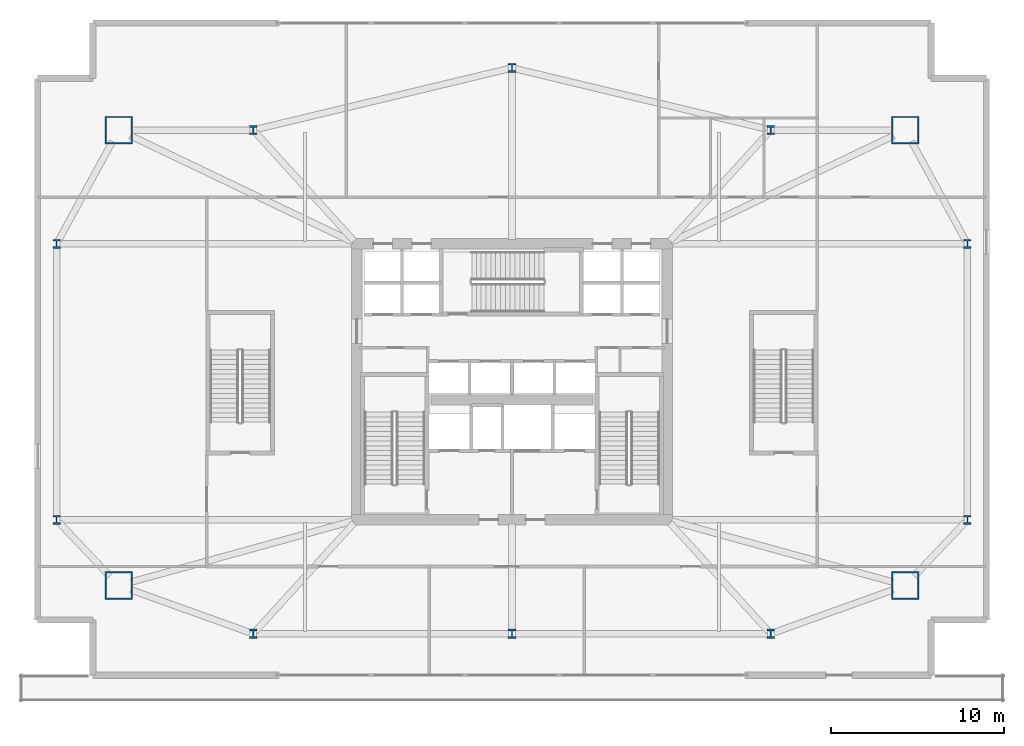
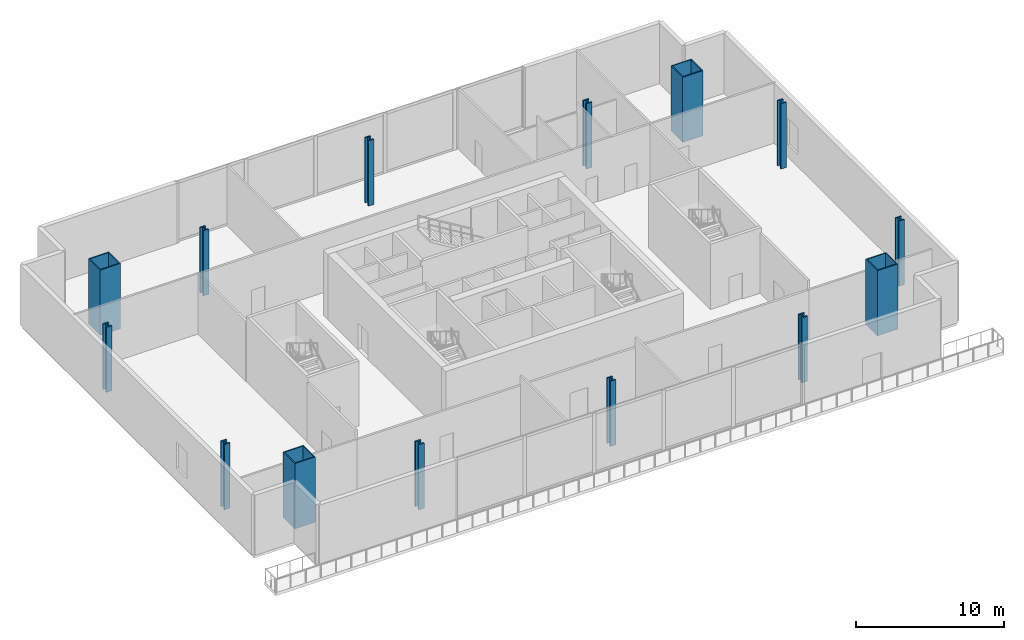
# One storey, part 1 of 16: 14 columns.
"""IFC4 building model written with IfcOpenShell, lengths in metres."""

from ifc_helpers import new_model, si_unit, direction, frame, origin, origin_2d, place, context, subcontext, project, spatial, hollow_rectangle, i_section, extrude, material, material_profile, profile_set, type_object, element, save


model = new_model("IFC4")

# Units and contexts
model_context = context("Model", 3, precision=1e-05, world=origin(), true_north=direction((0.0, 1.0)))
body_context = subcontext(model_context, "Body", "Model", "MODEL_VIEW")
ifc_project = project(units=[si_unit("LENGTHUNIT", "METRE"), si_unit("AREAUNIT", "SQUARE_METRE"), si_unit("VOLUMEUNIT", "CUBIC_METRE"), si_unit("PLANEANGLEUNIT", "RADIAN"), si_unit("MASSUNIT", "GRAM", prefix="KILO")], contexts=[model_context])

# Site, building, storey
site_placement = place(None, origin())
site = spatial("IfcSite", under=ifc_project, at=site_placement, CompositionType="ELEMENT")
building_placement = place(site_placement, origin())
building = spatial("IfcBuilding", under=site, at=building_placement, Name="Haldenkirk Collegiate Tower", CompositionType="ELEMENT")
storey_placement = place(building_placement, frame((0.0, 0.0, 16.800048828125)))
storey = spatial("IfcBuildingStorey", under=building, at=storey_placement, Name="L03", CompositionType="ELEMENT", Elevation=16.800048828125)

# Columns
ifc_material_1 = material(Name="Steel ASTM A913 Grade 65", Category="steel")
ifc_material_profile_1 = material_profile(ifc_material_1, i_section(OverallWidth=0.44189453125, OverallDepth=0.531005859375, WebThickness=0.06591796875, FlangeThickness=0.105712890625, at=origin_2d()), Name="W14X605")
ifc_profile_set_1 = profile_set([ifc_material_profile_1], Name="Steel ASTM A913 Grade 65")
column_type_1 = type_object("IfcColumnType", Name="COL-INT-W14X605", PredefinedType="COLUMN", material=ifc_profile_set_1)
for number, where, z_axis, x_axis, name in (
    (1, (9.60009765625, 18.0, 0.0), (0.0, 0.0, 1.0), (1.0, 0.0, 0.0), "L03 podium transfer support column PPC-W1"),
    (2, (9.60009765625, 34.0, 0.0), (0.0, 0.0, 1.0), (1.0, 0.0, 0.0), "L03 podium transfer support column PPC-W2"),
    (3, (62.39990234375, 18.0, 0.0), (0.0, 0.0, 1.0), (1.0, 0.0, 0.0), "L03 podium transfer support column PPC-E1"),
    (4, (62.39990234375, 34.0, 0.0), (0.0, 0.0, 1.0), (1.0, 0.0, 0.0), "L03 podium transfer support column PPC-E2"),
    (5, (21.0, 11.39990234375, 0.0), (0.0, 0.0, 1.0), (1.0, 0.0, 0.0), "L03 podium transfer support column PPC-S1"),
    (6, (51.0, 11.39990234375, 0.0), (0.0, 0.0, 1.0), (1.0, 0.0, 0.0), "L03 podium transfer support column PPC-S2"),
    (7, (21.0, 40.60009765625, 0.0), (0.0, 0.0, 1.0), (1.0, 0.0, 0.0), "L03 podium transfer support column PPC-N1"),
    (8, (51.0, 40.60009765625, 0.0), (0.0, 0.0, 1.0), (1.0, 0.0, 0.0), "L03 podium transfer support column PPC-N2"),
    (9, (36.0, 44.199951171875, 0.0), (0.0, 0.0, 1.0), (1.0, 0.0, 0.0), "L03 podium transfer support column PPC-N3"),
    (10, (36.0, 11.39990234375, 0.0), (0.0, 0.0, 1.0), (1.0, 0.0, 0.0), "L03 podium transfer support column PPC-S3"),
):
    element("IfcColumn", number, at=place(storey_placement, frame(where, z_axis=z_axis, x_axis=x_axis)), inside=storey, type_object=column_type_1, Name=name, PredefinedType="COLUMN", context=body_context, shape_type="SweptSolid", body=[
        extrude(i_section(OverallWidth=0.44189453125, OverallDepth=0.531005859375, WebThickness=0.06591796875, FlangeThickness=0.105712890625, at=origin_2d()), origin(), (0.0, 0.0, 1.0), 5.39990234375),
    ])
ifc_material_2 = material(Name="Steel ASTM A572 Grade 50", Category="steel")
ifc_material_profile_2 = material_profile(ifc_material_2, hollow_rectangle(XDim=1.60009765625, YDim=1.60009765625, WallThickness=0.080078125, at=origin_2d()), Name="BOX1600X1600X80")
ifc_profile_set_2 = profile_set([ifc_material_profile_2], Name="Steel ASTM A572 Grade 50")
column_type_2 = type_object("IfcColumnType", Name="COL-PODMEGA-BOX1600", PredefinedType="COLUMN", material=ifc_profile_set_2)
for number, where, z_axis, x_axis, name in (
    (11, (13.199951171875, 14.199951171875, 0.0), (0.0, 0.0, 1.0), (1.0, 0.0, 0.0), "L03 podium mega-column PMC-SW"),
    (12, (58.800048828125, 14.199951171875, 0.0), (0.0, 0.0, 1.0), (1.0, 0.0, 0.0), "L03 podium mega-column PMC-SE"),
    (13, (58.800048828125, 40.60009765625, 0.0), (0.0, 0.0, 1.0), (1.0, 0.0, 0.0), "L03 podium mega-column PMC-NE"),
    (14, (13.199951171875, 40.60009765625, 0.0), (0.0, 0.0, 1.0), (1.0, 0.0, 0.0), "L03 podium mega-column PMC-NW"),
):
    element("IfcColumn", number, at=place(storey_placement, frame(where, z_axis=z_axis, x_axis=x_axis)), inside=storey, type_object=column_type_2, Name=name, PredefinedType="COLUMN", context=body_context, shape_type="SweptSolid", body=[
        extrude(hollow_rectangle(XDim=1.60009765625, YDim=1.60009765625, WallThickness=0.080078125, at=origin_2d()), origin(), (0.0, 0.0, 1.0), 5.39990234375),
    ])

save(model, "model.ifc")
